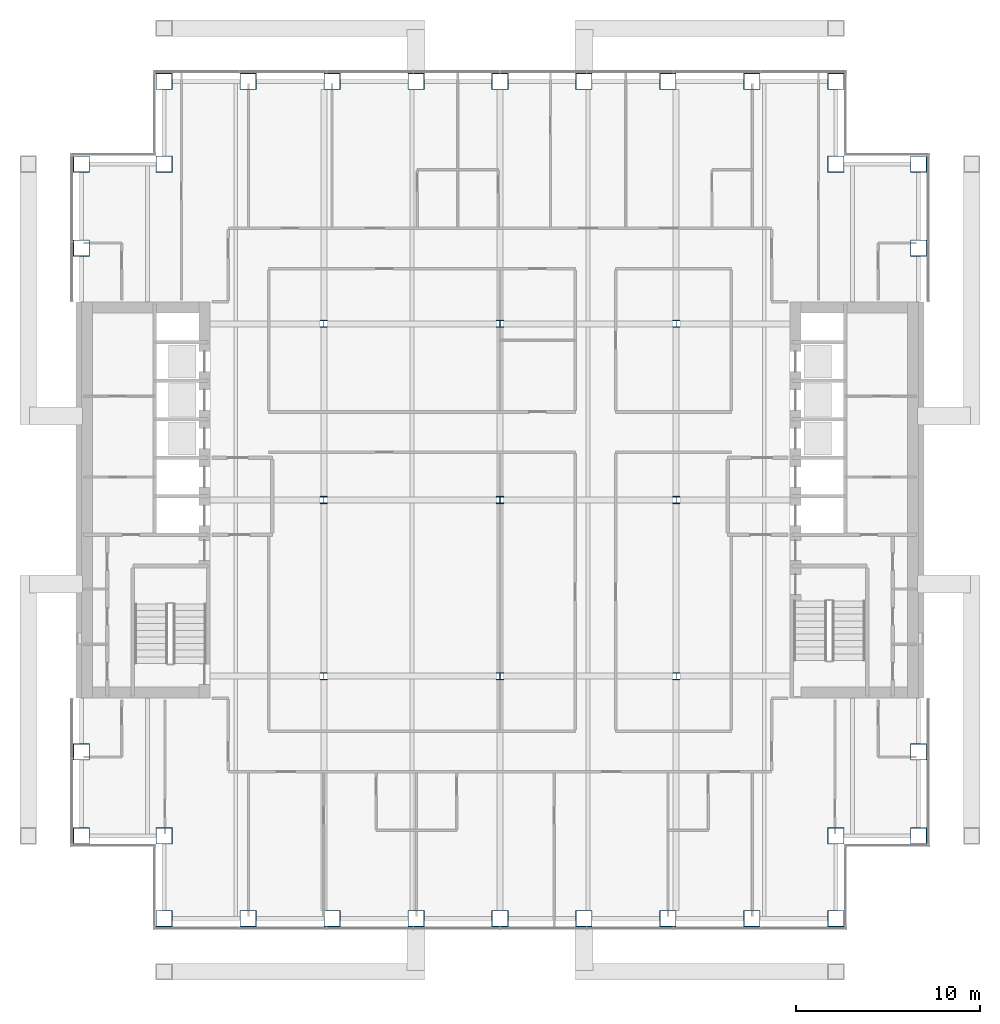
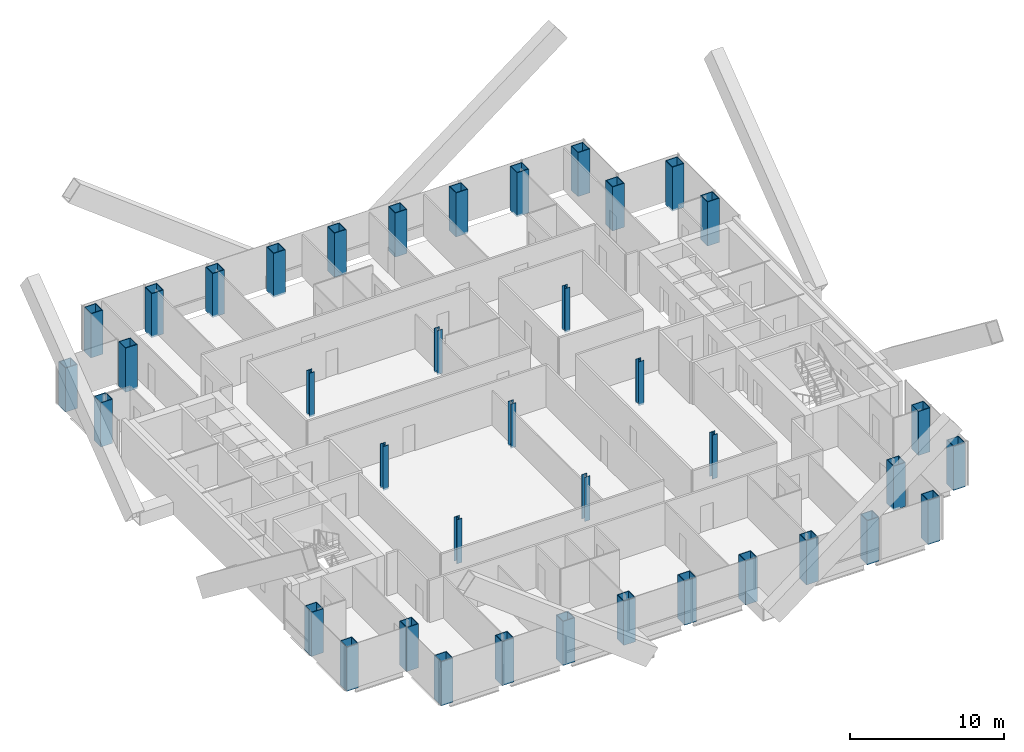
# One storey, part 1 of 17: 39 columns.
"""IFC4 building model written with IfcOpenShell, lengths in metres."""

from ifc_helpers import new_model, si_unit, direction, frame, origin, origin_2d, place, context, subcontext, project, spatial, hollow_rectangle, i_section, extrude, material, material_profile, profile_set, type_object, element, save


model = new_model("IFC4")

# Units and contexts
model_context = context("Model", 3, precision=1e-05, world=origin(), true_north=direction((0.0, 1.0)))
body_context = subcontext(model_context, "Body", "Model", "MODEL_VIEW")
ifc_project = project(units=[si_unit("LENGTHUNIT", "METRE"), si_unit("AREAUNIT", "SQUARE_METRE"), si_unit("VOLUMEUNIT", "CUBIC_METRE"), si_unit("PLANEANGLEUNIT", "RADIAN"), si_unit("MASSUNIT", "GRAM", prefix="KILO")], contexts=[model_context])

# Site, building, storey
site_placement = place(None, origin())
site = spatial("IfcSite", under=ifc_project, at=site_placement, CompositionType="ELEMENT")
building_placement = place(site_placement, origin())
building = spatial("IfcBuilding", under=site, at=building_placement, Name="Cobrizo Arcos Hotel Tower", CompositionType="ELEMENT")
storey_placement = place(building_placement, frame((0.0, 0.0, 106.5)))
storey = spatial("IfcBuildingStorey", under=building, at=storey_placement, Name="L26", CompositionType="ELEMENT", Elevation=106.5)

# Columns
ifc_material_1 = material(Name="Steel ASTM A572 Grade 50", Category="steel")
ifc_material_profile_1 = material_profile(ifc_material_1, hollow_rectangle(XDim=0.89990234375, YDim=0.89990234375, WallThickness=0.050048828125, at=origin_2d()), Name="BOX 900X900X50")
ifc_profile_set_1 = profile_set([ifc_material_profile_1], Name="Steel ASTM A572 Grade 50")
column_type_1 = type_object("IfcColumnType", Name="BOX 900X900X50 column", PredefinedType="COLUMN", material=ifc_profile_set_1)
for number, where, z_axis, x_axis, name in (
    (1, (-18.300048828125, 22.800048828125, -0.14990234375), (0.0, 0.0, 1.0), (1.0, 0.0, 0.0), "Perimeter column C6, L26, no. 00"),
    (2, (-18.300048828125, -22.800048828125, -0.14990234375), (0.0, 0.0, 1.0), (1.0, 0.0, 0.0), "Perimeter column C6, L26, no. 01"),
    (3, (-13.72509765625, 22.800048828125, -0.14990234375), (0.0, 0.0, 1.0), (1.0, 0.0, 0.0), "Perimeter column C6, L26, no. 02"),
    (4, (-13.72509765625, -22.800048828125, -0.14990234375), (0.0, 0.0, 1.0), (1.0, 0.0, 0.0), "Perimeter column C6, L26, no. 03"),
    (5, (-9.14990234375, 22.800048828125, -0.14990234375), (0.0, 0.0, 1.0), (1.0, 0.0, 0.0), "Perimeter column C6, L26, no. 04"),
    (6, (-9.14990234375, -22.800048828125, -0.14990234375), (0.0, 0.0, 1.0), (1.0, 0.0, 0.0), "Perimeter column C6, L26, no. 05"),
    (7, (-4.574951171875, 22.800048828125, -0.14990234375), (0.0, 0.0, 1.0), (1.0, 0.0, 0.0), "Perimeter column C6, L26, no. 06"),
    (8, (-4.574951171875, -22.800048828125, -0.14990234375), (0.0, 0.0, 1.0), (1.0, 0.0, 0.0), "Perimeter column C6, L26, no. 07"),
    (9, (0.0, 22.800048828125, -0.14990234375), (0.0, 0.0, 1.0), (1.0, 0.0, 0.0), "Perimeter column C6, L26, no. 08"),
    (10, (0.0, -22.800048828125, -0.14990234375), (0.0, 0.0, 1.0), (1.0, 0.0, 0.0), "Perimeter column C6, L26, no. 09"),
    (11, (4.574951171875, 22.800048828125, -0.14990234375), (0.0, 0.0, 1.0), (1.0, 0.0, 0.0), "Perimeter column C6, L26, no. 10"),
    (12, (4.574951171875, -22.800048828125, -0.14990234375), (0.0, 0.0, 1.0), (1.0, 0.0, 0.0), "Perimeter column C6, L26, no. 11"),
    (13, (9.14990234375, 22.800048828125, -0.14990234375), (0.0, 0.0, 1.0), (1.0, 0.0, 0.0), "Perimeter column C6, L26, no. 12"),
    (14, (9.14990234375, -22.800048828125, -0.14990234375), (0.0, 0.0, 1.0), (1.0, 0.0, 0.0), "Perimeter column C6, L26, no. 13"),
    (15, (13.72509765625, 22.800048828125, -0.14990234375), (0.0, 0.0, 1.0), (1.0, 0.0, 0.0), "Perimeter column C6, L26, no. 14"),
    (16, (13.72509765625, -22.800048828125, -0.14990234375), (0.0, 0.0, 1.0), (1.0, 0.0, 0.0), "Perimeter column C6, L26, no. 15"),
    (17, (18.300048828125, 22.800048828125, -0.14990234375), (0.0, 0.0, 1.0), (1.0, 0.0, 0.0), "Perimeter column C6, L26, no. 16"),
    (18, (18.300048828125, -22.800048828125, -0.14990234375), (0.0, 0.0, 1.0), (1.0, 0.0, 0.0), "Perimeter column C6, L26, no. 17"),
    (19, (22.800048828125, -18.300048828125, -0.14990234375), (0.0, 0.0, 1.0), (1.0, 0.0, 0.0), "Perimeter column C6, L26, no. 18"),
    (20, (-22.800048828125, -18.300048828125, -0.14990234375), (0.0, 0.0, 1.0), (1.0, 0.0, 0.0), "Perimeter column C6, L26, no. 19"),
    (21, (22.800048828125, -13.72509765625, -0.14990234375), (0.0, 0.0, 1.0), (1.0, 0.0, 0.0), "Perimeter column C6, L26, no. 20"),
    (22, (-22.800048828125, -13.72509765625, -0.14990234375), (0.0, 0.0, 1.0), (1.0, 0.0, 0.0), "Perimeter column C6, L26, no. 21"),
    (23, (22.800048828125, 13.72509765625, -0.14990234375), (0.0, 0.0, 1.0), (1.0, 0.0, 0.0), "Perimeter column C6, L26, no. 22"),
    (24, (-22.800048828125, 13.72509765625, -0.14990234375), (0.0, 0.0, 1.0), (1.0, 0.0, 0.0), "Perimeter column C6, L26, no. 23"),
    (25, (22.800048828125, 18.300048828125, -0.14990234375), (0.0, 0.0, 1.0), (1.0, 0.0, 0.0), "Perimeter column C6, L26, no. 24"),
    (26, (-22.800048828125, 18.300048828125, -0.14990234375), (0.0, 0.0, 1.0), (1.0, 0.0, 0.0), "Perimeter column C6, L26, no. 25"),
    (27, (-18.300048828125, -18.300048828125, -0.14990234375), (0.0, 0.0, 1.0), (1.0, 0.0, 0.0), "Perimeter column C6, L26, no. 26"),
    (28, (-18.300048828125, 18.300048828125, -0.14990234375), (0.0, 0.0, 1.0), (1.0, 0.0, 0.0), "Perimeter column C6, L26, no. 27"),
    (29, (18.300048828125, -18.300048828125, -0.14990234375), (0.0, 0.0, 1.0), (1.0, 0.0, 0.0), "Perimeter column C6, L26, no. 28"),
    (30, (18.300048828125, 18.300048828125, -0.14990234375), (0.0, 0.0, 1.0), (1.0, 0.0, 0.0), "Perimeter column C6, L26, no. 29"),
):
    element("IfcColumn", number, at=place(storey_placement, frame(where, z_axis=z_axis, x_axis=x_axis)), inside=storey, type_object=column_type_1, Name=name, PredefinedType="COLUMN", context=body_context, shape_type="SweptSolid", body=[
        extrude(hollow_rectangle(XDim=0.89990234375, YDim=0.89990234375, WallThickness=0.050048828125, at=origin_2d()), origin(), (0.0, 0.0, 1.0), 3.5),
    ])
ifc_material_2 = material(Name="Steel ASTM A992 Grade 50", Category="steel")
ifc_material_profile_2 = material_profile(ifc_material_2, i_section(OverallWidth=0.398681640625, OverallDepth=0.393798828125, WebThickness=0.022705078125, FlangeThickness=0.03662109375, at=origin_2d()), Name="W14X193")
ifc_profile_set_2 = profile_set([ifc_material_profile_2], Name="Steel ASTM A992 Grade 50")
column_type_2 = type_object("IfcColumnType", Name="W14X193 interior column", PredefinedType="COLUMN", material=ifc_profile_set_2)
for number, where, z_axis, x_axis, name in (
    (31, (-9.60009765625, -9.60009765625, -0.14990234375), (0.0, 0.0, 1.0), (1.0, 0.0, 0.0), "Interior column C7, L26, no. 00"),
    (32, (-9.60009765625, 0.0, -0.14990234375), (0.0, 0.0, 1.0), (1.0, 0.0, 0.0), "Interior column C7, L26, no. 01"),
    (33, (-9.60009765625, 9.60009765625, -0.14990234375), (0.0, 0.0, 1.0), (1.0, 0.0, 0.0), "Interior column C7, L26, no. 02"),
    (34, (0.0, -9.60009765625, -0.14990234375), (0.0, 0.0, 1.0), (1.0, 0.0, 0.0), "Interior column C7, L26, no. 03"),
    (35, (0.0, 0.0, -0.14990234375), (0.0, 0.0, 1.0), (1.0, 0.0, 0.0), "Interior column C7, L26, no. 04"),
    (36, (0.0, 9.60009765625, -0.14990234375), (0.0, 0.0, 1.0), (1.0, 0.0, 0.0), "Interior column C7, L26, no. 05"),
    (37, (9.60009765625, -9.60009765625, -0.14990234375), (0.0, 0.0, 1.0), (1.0, 0.0, 0.0), "Interior column C7, L26, no. 06"),
    (38, (9.60009765625, 0.0, -0.14990234375), (0.0, 0.0, 1.0), (1.0, 0.0, 0.0), "Interior column C7, L26, no. 07"),
    (39, (9.60009765625, 9.60009765625, -0.14990234375), (0.0, 0.0, 1.0), (1.0, 0.0, 0.0), "Interior column C7, L26, no. 08"),
):
    element("IfcColumn", number, at=place(storey_placement, frame(where, z_axis=z_axis, x_axis=x_axis)), inside=storey, type_object=column_type_2, Name=name, PredefinedType="COLUMN", context=body_context, shape_type="SweptSolid", body=[
        extrude(i_section(OverallWidth=0.398681640625, OverallDepth=0.393798828125, WebThickness=0.022705078125, FlangeThickness=0.03662109375, at=origin_2d()), origin(), (0.0, 0.0, 1.0), 3.5),
    ])

save(model, "model.ifc")
